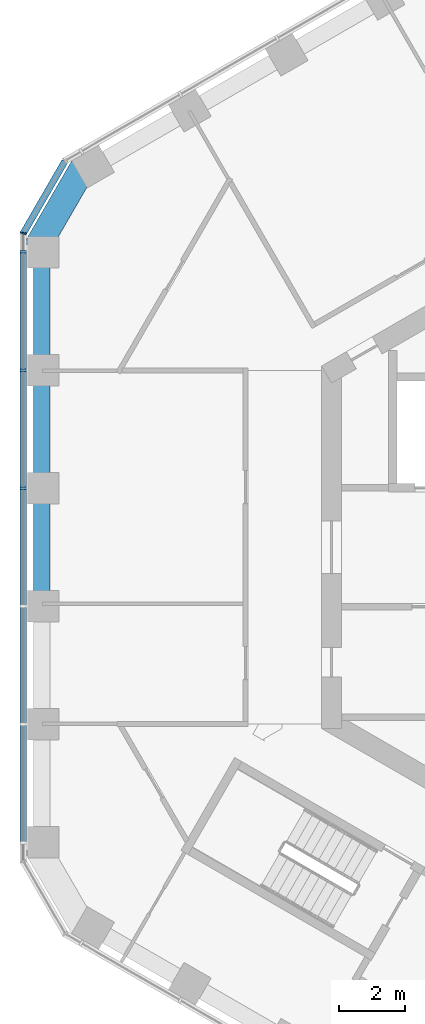
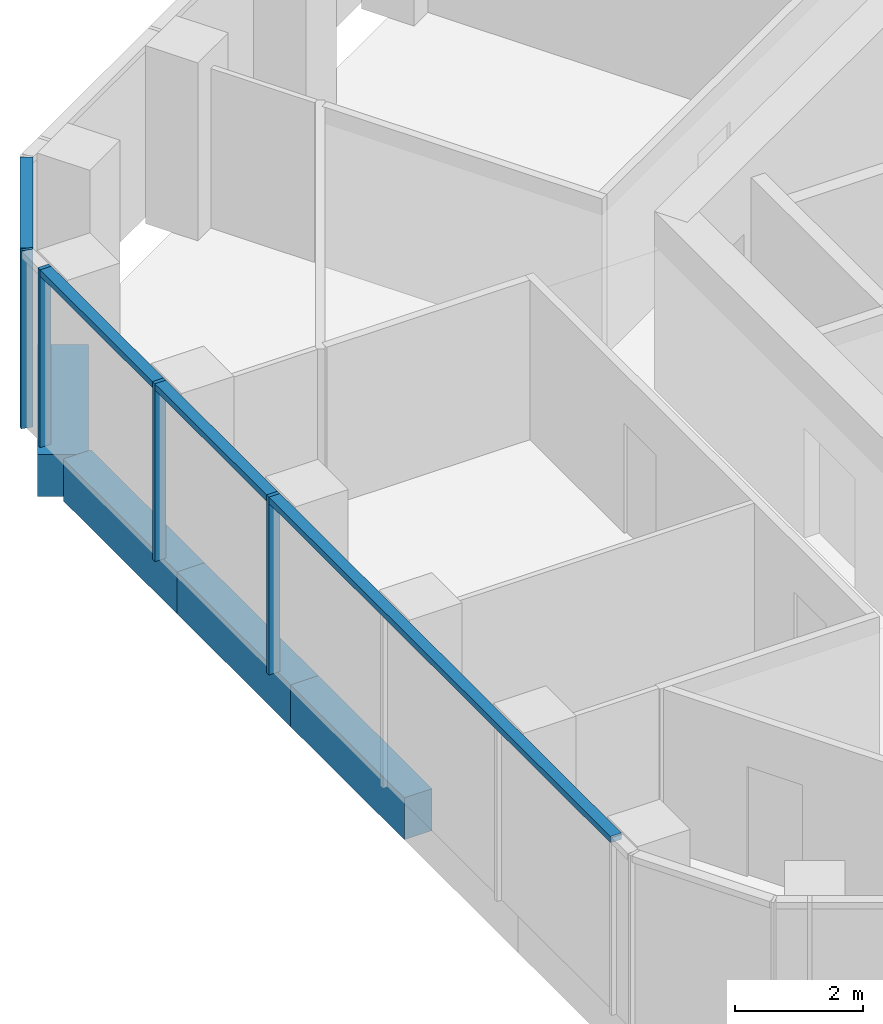
# One storey, part 4 of 18: 6 members, 4 beams, 2 elements without a shape of their own.
"""IFC4 building model written with IfcOpenShell, lengths in metres."""

from ifc_helpers import new_model, si_unit, direction, frame, origin, origin_2d, place, context, subcontext, project, spatial, rectangle, extrude, material, layer, layer_set, material_profile, profile_set, type_object, element, aggregate, save


model = new_model("IFC4")

# Units and contexts
model_context = context("Model", 3, precision=1e-05, world=origin(), true_north=direction((0.0, 1.0)))
body_context = subcontext(model_context, "Body", "Model", "MODEL_VIEW")
ifc_project = project(units=[si_unit("LENGTHUNIT", "METRE"), si_unit("AREAUNIT", "SQUARE_METRE"), si_unit("VOLUMEUNIT", "CUBIC_METRE"), si_unit("PLANEANGLEUNIT", "RADIAN"), si_unit("MASSUNIT", "GRAM", prefix="KILO")], contexts=[model_context])

# Site, building, storey
site_placement = place(None, origin())
site = spatial("IfcSite", under=ifc_project, at=site_placement, CompositionType="ELEMENT")
building_placement = place(site_placement, origin())
building = spatial("IfcBuilding", under=site, at=building_placement, Name="Ayvan Gate Tower", CompositionType="ELEMENT")
storey_placement = place(building_placement, frame((0.0, 0.0, 166.300048828125)))
storey = spatial("IfcBuildingStorey", under=building, at=storey_placement, Name="L44", CompositionType="ELEMENT", Elevation=166.300048828125)

# Beams
ifc_material_1 = material(Name="Concrete C40/50", Category="concrete")
ifc_material_profile_1 = material_profile(ifc_material_1, rectangle(XDim=0.800048828125, YDim=0.800048828125, at=origin_2d()), Name="RC 800x800")
ifc_profile_set_1 = profile_set([ifc_material_profile_1], Name="Concrete C40/50")
beam_type_1 = type_object("IfcBeamType", Name="Corner spandrel beam RC 800x800 C40/50", PredefinedType="BEAM", material=ifc_profile_set_1)
beam_1_placement = place(storey_placement, frame((-16.65283203125, 11.60546875, -0.75), z_axis=(-0.50002537861, -0.866010750942, 0.0), x_axis=(0.866010750942, -0.50002537861, 0.0)))
element("IfcBeam", 1, at=beam_1_placement, inside=storey, type_object=beam_type_1, Name="SB-L44-18", PredefinedType="BEAM", context=body_context, shape_type="SweptSolid", body=[
    extrude(rectangle(XDim=0.800048828125, YDim=0.800048828125, at=origin_2d()), origin(), (0.0, 0.0, 1.0), 2.999755859375),
])
ifc_material_profile_2 = material_profile(ifc_material_1, rectangle(XDim=0.5, YDim=0.800048828125, at=origin_2d()), Name="RC 500x800")
ifc_profile_set_2 = profile_set([ifc_material_profile_2], Name="Concrete C40/50")
beam_type_2 = type_object("IfcBeamType", Name="Spandrel beam RC 500x800 C40/50", PredefinedType="BEAM", material=ifc_profile_set_2)
beam_2_placement = place(storey_placement, frame((-17.962158203125, 8.8974609375, -0.75), z_axis=(0.0, -1.0, 0.0), x_axis=(1.0, 0.0, 0.0)))
element("IfcBeam", 2, at=beam_2_placement, inside=storey, type_object=beam_type_2, Name="SB-L44-19", PredefinedType="BEAM", context=body_context, shape_type="SweptSolid", body=[
    extrude(rectangle(XDim=0.5, YDim=0.800048828125, at=origin_2d()), origin(), (0.0, 0.0, 1.0), 3.55908203125),
])
beam_3_placement = place(storey_placement, frame((-17.962158203125, 5.33837890625, -0.75), z_axis=(0.0, -1.0, 0.0), x_axis=(1.0, 0.0, 0.0)))
element("IfcBeam", 3, at=beam_3_placement, inside=storey, type_object=beam_type_2, Name="SB-L44-20", PredefinedType="BEAM", context=body_context, shape_type="SweptSolid", body=[
    extrude(rectangle(XDim=0.5, YDim=0.800048828125, at=origin_2d()), origin(), (0.0, 0.0, 1.0), 3.558837890625),
])
beam_4_placement = place(storey_placement, frame((-17.962158203125, 1.779541015625, -0.75), z_axis=(0.0, -1.0, 0.0), x_axis=(1.0, 0.0, 0.0)))
element("IfcBeam", 4, at=beam_4_placement, inside=storey, type_object=beam_type_2, Name="SB-L44-21", PredefinedType="BEAM", context=body_context, shape_type="SweptSolid", body=[
    extrude(rectangle(XDim=0.5, YDim=0.800048828125, at=origin_2d()), origin(), (0.0, 0.0, 1.0), 3.55908203125),
])

# Curtain wall, members
ifc_material_2 = material(Name="Bronze anodised aluminium", Category="aluminium")
ifc_layer_1 = layer(ifc_material_2, 0.199951171875)
ifc_layer_set_1 = layer_set([ifc_layer_1], Name="Bronze anodised aluminium")
curtain_wall_type_1 = type_object("IfcCurtainWallType", Name="Stick curtain wall CW-2", PredefinedType="NOTDEFINED", material=ifc_layer_set_1)
curtain_wall_1_placement = place(storey_placement, origin())
curtain_wall_1 = element("IfcCurtainWall", 5, at=curtain_wall_1_placement, inside=storey, type_object=curtain_wall_type_1, Name="Stick curtain wall CW-2 L44", PredefinedType="NOTDEFINED")
ifc_material_profile_3 = material_profile(ifc_material_2, rectangle(XDim=0.199951171875, YDim=0.070068359375, at=origin_2d()), Name="Stick curtain wall CW-2 mullion 200 x 70")
ifc_profile_set_3 = profile_set([ifc_material_profile_3], Name="Bronze anodised aluminium")
member_type_1 = type_object("IfcMemberType", Name="Stick curtain wall CW-2 mullion 200 x 70", PredefinedType="MULLION", material=ifc_profile_set_3)
member_1_placement = place(storey_placement, frame((-18.524169921875, 8.94580078125, 0.0), z_axis=(0.0, 0.0, 1.0), x_axis=(-1.0, 0.0, 0.0)))
member_1 = element("IfcMember", 6, at=member_1_placement, type_object=member_type_1, Name="CW-2 mullion 1", PredefinedType="MULLION", context=body_context, shape_type="SweptSolid", body=[
    extrude(rectangle(XDim=0.199951171875, YDim=0.070068359375, at=origin_2d()), origin(), (0.0, 0.0, 1.0), 3.39990234375),
])
member_2_placement = place(storey_placement, frame((-18.524169921875, 5.353759765625, 0.0), z_axis=(0.0, 0.0, 1.0), x_axis=(-1.0, 0.0, 0.0)))
member_2 = element("IfcMember", 7, at=member_2_placement, type_object=member_type_1, Name="CW-2 mullion 2", PredefinedType="MULLION", context=body_context, shape_type="SweptSolid", body=[
    extrude(rectangle(XDim=0.199951171875, YDim=0.070068359375, at=origin_2d()), origin(), (0.0, 0.0, 1.0), 3.39990234375),
])
member_3_placement = place(storey_placement, frame((-18.524169921875, 1.78466796875, 0.0), z_axis=(0.0, 0.0, 1.0), x_axis=(-1.0, 0.0, 0.0)))
member_3 = element("IfcMember", 8, at=member_3_placement, type_object=member_type_1, Name="CW-2 mullion 3", PredefinedType="MULLION", context=body_context, shape_type="SweptSolid", body=[
    extrude(rectangle(XDim=0.199951171875, YDim=0.070068359375, at=origin_2d()), origin(), (0.0, 0.0, 1.0), 3.39990234375),
])
ifc_material_profile_4 = material_profile(ifc_material_2, rectangle(XDim=0.199951171875, YDim=0.1201171875, at=origin_2d()), Name="Stick curtain wall CW-2 transom 200 x 120")
ifc_profile_set_4 = profile_set([ifc_material_profile_4], Name="Bronze anodised aluminium")
member_type_2 = type_object("IfcMemberType", Name="Stick curtain wall CW-2 transom 200 x 120", PredefinedType="USERDEFINED", material=ifc_profile_set_4)
member_4_placement = place(storey_placement, frame((-18.524169921875, 8.94580078125, 3.33984375), z_axis=(0.0, -1.0, 0.0), x_axis=(1.0, 0.0, 0.0)))
member_4 = element("IfcMember", 9, at=member_4_placement, type_object=member_type_2, Name="CW-2 transom 1", ObjectType="TRANSOM", PredefinedType="USERDEFINED", context=body_context, shape_type="SweptSolid", body=[
    extrude(rectangle(XDim=0.199951171875, YDim=0.1201171875, at=origin_2d()), origin(), (0.0, 0.0, 1.0), 17.8916015625),
])
aggregate(curtain_wall_1, [member_1, member_2, member_3, member_4])

ifc_layer_2 = layer(ifc_material_2, 0.199951171875)
ifc_layer_set_2 = layer_set([ifc_layer_2], Name="Bronze anodised aluminium")
curtain_wall_type_2 = type_object("IfcCurtainWallType", Name="Stick curtain wall CW-6", PredefinedType="NOTDEFINED", material=ifc_layer_set_2)
curtain_wall_2_placement = place(storey_placement, origin())
curtain_wall_2 = element("IfcCurtainWall", 10, at=curtain_wall_2_placement, inside=storey, type_object=curtain_wall_type_2, Name="Stick curtain wall CW-6 L44", PredefinedType="NOTDEFINED")
ifc_material_profile_5 = material_profile(ifc_material_2, rectangle(XDim=0.199951171875, YDim=0.050048828125, at=origin_2d()), Name="Stick curtain wall CW-6 mullion 200 x 50")
ifc_profile_set_5 = profile_set([ifc_material_profile_5], Name="Bronze anodised aluminium")
member_type_3 = type_object("IfcMemberType", Name="Stick curtain wall CW-6 mullion 200 x 50", PredefinedType="MULLION", material=ifc_profile_set_5)
member_5_placement = place(storey_placement, frame((-18.524169921875, 9.505615234375, 0.0), z_axis=(0.0, 0.0, 1.0), x_axis=(-0.965925826289, 0.258819045103, 0.0)))
member_5 = element("IfcMember", 11, at=member_5_placement, type_object=member_type_3, Name="CW-6 mullion 3", PredefinedType="MULLION", context=body_context, shape_type="SweptSolid", body=[
    extrude(rectangle(XDim=0.199951171875, YDim=0.050048828125, at=origin_2d()), origin(), (0.0, 0.0, 1.0), 3.39990234375),
])
ifc_material_profile_6 = material_profile(ifc_material_2, rectangle(XDim=0.199951171875, YDim=0.1201171875, at=origin_2d()), Name="Stick curtain wall CW-6 transom 200 x 120")
ifc_profile_set_6 = profile_set([ifc_material_profile_6], Name="Bronze anodised aluminium")
member_type_4 = type_object("IfcMemberType", Name="Stick curtain wall CW-6 transom 200 x 120", PredefinedType="USERDEFINED", material=ifc_profile_set_6)
member_6_placement = place(storey_placement, frame((-17.269287109375, 11.678955078125, 3.33984375), z_axis=(-0.500059846627, -0.865990848561, 0.0), x_axis=(0.865990848561, -0.500059846627, 0.0)))
member_6 = element("IfcMember", 12, at=member_6_placement, type_object=member_type_4, Name="CW-6 transom 2", ObjectType="TRANSOM", PredefinedType="USERDEFINED", context=body_context, shape_type="SweptSolid", body=[
    extrude(rectangle(XDim=0.199951171875, YDim=0.1201171875, at=origin_2d()), origin(), (0.0, 0.0, 1.0), 2.484619140625),
])
aggregate(curtain_wall_2, [member_5, member_6])

save(model, "model.ifc")
